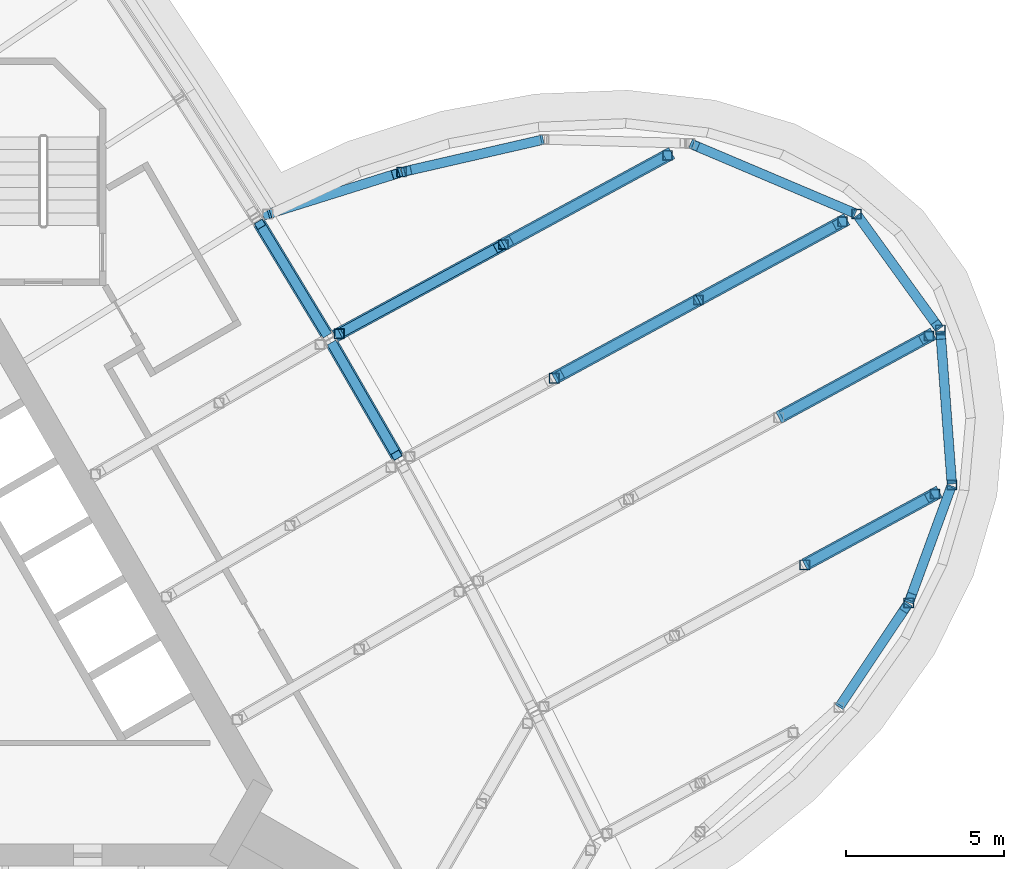
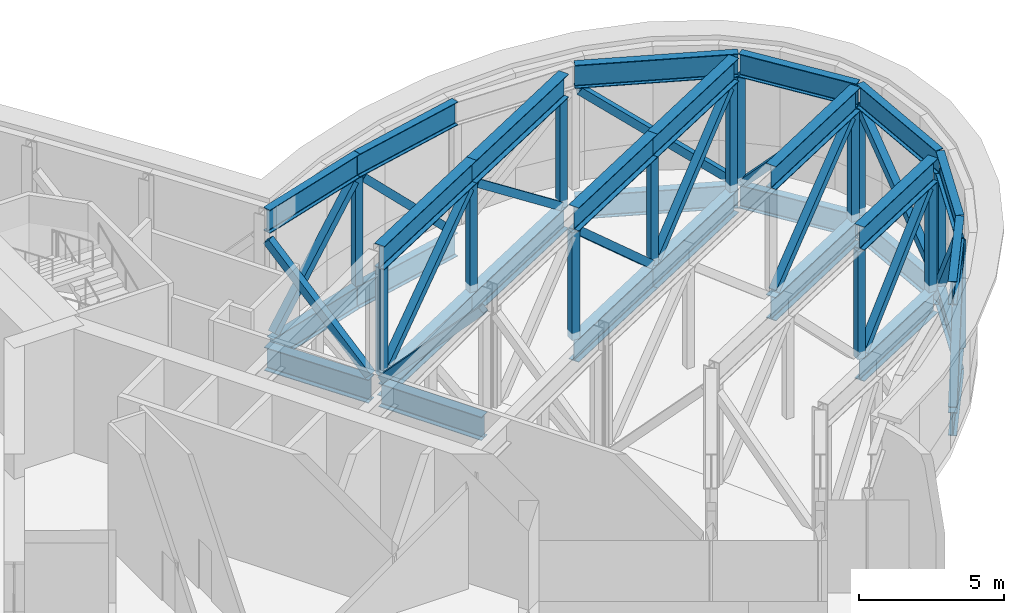
# One storey, part 4 of 11: 55 members, 2 beams.
"""IFC4 building model written with IfcOpenShell, lengths in metres."""

from ifc_helpers import new_model, si_unit, direction, frame, origin, origin_2d, place, context, subcontext, project, spatial, hollow_rectangle, i_section, extrude, material, material_profile, profile_set, type_object, element, save


model = new_model("IFC4")

# Units and contexts
model_context = context("Model", 3, precision=1e-05, world=origin(), true_north=direction((0.0, 1.0)))
body_context = subcontext(model_context, "Body", "Model", "MODEL_VIEW")
ifc_project = project(units=[si_unit("LENGTHUNIT", "METRE"), si_unit("AREAUNIT", "SQUARE_METRE"), si_unit("VOLUMEUNIT", "CUBIC_METRE"), si_unit("PLANEANGLEUNIT", "RADIAN"), si_unit("MASSUNIT", "GRAM", prefix="KILO")], contexts=[model_context])

# Site, building, storey
site_placement = place(None, origin())
site = spatial("IfcSite", under=ifc_project, at=site_placement, CompositionType="ELEMENT")
building_placement = place(site_placement, origin())
building = spatial("IfcBuilding", under=site, at=building_placement, Name="Noor Cloister Tower", CompositionType="ELEMENT")
storey_placement = place(building_placement, frame((0.0, 0.0, 168.89990234375)))
storey = spatial("IfcBuildingStorey", under=building, at=storey_placement, Name="L43", CompositionType="ELEMENT", Elevation=168.89990234375)

# Beams
ifc_material_1 = material(Name="Steel ASTM A992 Gr 50", Category="steel")
ifc_material_profile_1 = material_profile(ifc_material_1, i_section(OverallWidth=0.40087890625, OverallDepth=0.98291015625, WebThickness=0.0166015625, FlangeThickness=0.027099609375, FilletRadius=0.030029296875, at=origin_2d()), Name="W1000x296")
ifc_profile_set_1 = profile_set([ifc_material_profile_1], Name="Steel ASTM A992 Gr 50")
beam_type = type_object("IfcBeamType", Name="Belt chord girder W1000x296", PredefinedType="BEAM", material=ifc_profile_set_1)
for number, where, z_axis, x_axis, name in (
    (1, (14.56103515625, 6.0458984375, -0.79150390625), (-0.499953296348, 0.866052366471, 0.0), (-0.866052366471, -0.499953296348, 0.0), "Spandrel beam NE 04 L43"),
    (2, (12.3134765625, 9.9306640625, -0.79150390625), (-0.518265991157, 0.85521948201, 0.0), (-0.85521948201, -0.518265991157, 0.0), "Spandrel beam NE 05 L43"),
):
    element("IfcBeam", number, at=place(storey_placement, frame(where, z_axis=z_axis, x_axis=x_axis)), inside=storey, type_object=beam_type, Name=name, PredefinedType="BEAM", context=body_context, shape_type="SweptSolid", body=[
        extrude(i_section(OverallWidth=0.40087890625, OverallDepth=0.98291015625, WebThickness=0.0166015625, FlangeThickness=0.027099609375, FilletRadius=0.030029296875, at=origin_2d()), origin(), (0.0, 0.0, 1.0), 4.08935546875),
    ])

# Members
ifc_material_2 = material(Name="Steel ASTM A500 Gr C", Category="steel")
ifc_material_profile_2 = material_profile(ifc_material_2, hollow_rectangle(XDim=0.304931640625, YDim=0.304931640625, WallThickness=0.0126953125, at=origin_2d()), Name="HSS304.8x304.8x12.7")
ifc_profile_set_2 = profile_set([ifc_material_profile_2], Name="Steel ASTM A500 Gr C")
member_type_1 = type_object("IfcMemberType", Name="Belt truss diagonal HSS304.8x304.8x12.7", PredefinedType="BRACE", material=ifc_profile_set_2)
member_1_placement = place(storey_placement, frame((12.537353515625, 9.55126953125, -0.196044921875), z_axis=(0.340421526636, -0.589637968491, 0.732420815048), x_axis=(0.866029291668, 0.499993265928, 0.0)))
element("IfcMember", 3, at=member_1_placement, inside=storey, type_object=member_type_1, Name="Belt truss diagonal NE 04 L43", PredefinedType="BRACE", context=body_context, shape_type="SweptSolid", body=[
    extrude(hollow_rectangle(XDim=0.304931640625, YDim=0.304931640625, WallThickness=0.0126953125, at=origin_2d()), origin(), (0.0, 0.0, 1.0), 5.8837890625),
])
member_2_placement = place(storey_placement, frame((12.291748046875, 9.966552734375, -0.196044921875), z_axis=(-0.352838029881, 0.582267815511, 0.7324407933), x_axis=(-0.855231394495, -0.518246333195, 0.0)))
element("IfcMember", 4, at=member_2_placement, inside=storey, type_object=member_type_1, Name="Belt truss diagonal NE 05 L43", PredefinedType="BRACE", context=body_context, shape_type="SweptSolid", body=[
    extrude(hollow_rectangle(XDim=0.304931640625, YDim=0.304931640625, WallThickness=0.0126953125, at=origin_2d()), origin(), (0.0, 0.0, 1.0), 5.883544921875),
])
ifc_material_3 = material(Name="Steel ASTM A992 Gr 50", Category="steel")
ifc_material_profile_3 = material_profile(ifc_material_3, i_section(OverallWidth=0.300048828125, OverallDepth=0.97998046875, WebThickness=0.0166015625, FlangeThickness=0.026123046875, FilletRadius=0.02978515625, at=origin_2d()), Name="W1000x249")
ifc_profile_set_3 = profile_set([ifc_material_profile_3], Name="Steel ASTM A992 Gr 50")
member_type_2 = type_object("IfcMemberType", Name="Pod ring chord W1000x249", PredefinedType="CHORD", material=ifc_profile_set_3)
for number, where, z_axis, x_axis, name in (
    (5, (28.552490234375, -1.889404296875, -0.789794921875), (0.555157149559, 0.831745477471, 0.0), (-0.831745477471, 0.555157149559, 0.0), "Pod truss 3 bottom chord ring 3"),
    (6, (28.552490234375, -1.889404296875, 4.710205078125), (0.555157149559, 0.831745477471, 0.0), (-0.831745477471, 0.555157149559, 0.0), "Pod truss 3 top chord ring 3"),
):
    element("IfcMember", number, at=place(storey_placement, frame(where, z_axis=z_axis, x_axis=x_axis)), inside=storey, type_object=member_type_2, Name=name, PredefinedType="CHORD", context=body_context, shape_type="SweptSolid", body=[
        extrude(i_section(OverallWidth=0.300048828125, OverallDepth=0.97998046875, WebThickness=0.0166015625, FlangeThickness=0.026123046875, FilletRadius=0.02978515625, at=origin_2d()), origin(), (0.0, 0.0, 1.0), 3.94482421875),
    ])
for number, where, z_axis, x_axis, name in (
    (7, (30.758544921875, 1.423583984375, -0.789794921875), (0.343748668311, 0.939061687555, 0.0), (-0.939061687555, 0.343748668311, 0.0), "Pod truss 3 bottom chord ring 4"),
    (8, (30.758544921875, 1.423583984375, 4.710205078125), (0.343748668311, 0.939061687555, 0.0), (-0.939061687555, 0.343748668311, 0.0), "Pod truss 3 top chord ring 4"),
):
    element("IfcMember", number, at=place(storey_placement, frame(where, z_axis=z_axis, x_axis=x_axis)), inside=storey, type_object=member_type_2, Name=name, PredefinedType="CHORD", context=body_context, shape_type="SweptSolid", body=[
        extrude(i_section(OverallWidth=0.300048828125, OverallDepth=0.97998046875, WebThickness=0.0166015625, FlangeThickness=0.026123046875, FilletRadius=0.02978515625, at=origin_2d()), origin(), (0.0, 0.0, 1.0), 3.927490234375),
    ])
for number, where, z_axis, x_axis, name in (
    (9, (32.117431640625, 5.1748046875, -0.789794921875), (-0.074454319083, 0.997224425277, 0.0), (-0.997224425277, -0.074454319083, 0.0), "Pod truss 3 bottom chord ring 5"),
    (10, (32.117431640625, 5.1748046875, 4.710205078125), (-0.074454319083, 0.997224425277, 0.0), (-0.997224425277, -0.074454319083, 0.0), "Pod truss 3 top chord ring 5"),
):
    element("IfcMember", number, at=place(storey_placement, frame(where, z_axis=z_axis, x_axis=x_axis)), inside=storey, type_object=member_type_2, Name=name, PredefinedType="CHORD", context=body_context, shape_type="SweptSolid", body=[
        extrude(i_section(OverallWidth=0.300048828125, OverallDepth=0.97998046875, WebThickness=0.0166015625, FlangeThickness=0.026123046875, FilletRadius=0.02978515625, at=origin_2d()), origin(), (0.0, 0.0, 1.0), 4.846435546875),
    ])
for number, where, z_axis, x_axis, name in (
    (11, (31.728271484375, 10.084716796875, -0.789794921875), (-0.585976189405, 0.810328270178, 0.0), (-0.810328270178, -0.585976189405, 0.0), "Pod truss 3 bottom chord ring 6"),
    (12, (31.728271484375, 10.084716796875, 4.710205078125), (-0.585976189405, 0.810328270178, 0.0), (-0.810328270178, -0.585976189405, 0.0), "Pod truss 3 top chord ring 6"),
):
    element("IfcMember", number, at=place(storey_placement, frame(where, z_axis=z_axis, x_axis=x_axis)), inside=storey, type_object=member_type_2, Name=name, PredefinedType="CHORD", context=body_context, shape_type="SweptSolid", body=[
        extrude(i_section(OverallWidth=0.300048828125, OverallDepth=0.97998046875, WebThickness=0.0166015625, FlangeThickness=0.026123046875, FilletRadius=0.02978515625, at=origin_2d()), origin(), (0.0, 0.0, 1.0), 4.44091796875),
    ])
for number, where, z_axis, x_axis, name in (
    (13, (29.062744140625, 13.73388671875, -0.789794921875), (-0.920810747966, 0.39000970043, 0.0), (-0.39000970043, -0.920810747966, 0.0), "Pod truss 3 bottom chord ring 7"),
    (14, (29.062744140625, 13.73388671875, 4.710205078125), (-0.920810747966, 0.39000970043, 0.0), (-0.39000970043, -0.920810747966, 0.0), "Pod truss 3 top chord ring 7"),
):
    element("IfcMember", number, at=place(storey_placement, frame(where, z_axis=z_axis, x_axis=x_axis)), inside=storey, type_object=member_type_2, Name=name, PredefinedType="CHORD", context=body_context, shape_type="SweptSolid", body=[
        extrude(i_section(OverallWidth=0.300048828125, OverallDepth=0.97998046875, WebThickness=0.0166015625, FlangeThickness=0.026123046875, FilletRadius=0.02978515625, at=origin_2d()), origin(), (0.0, 0.0, 1.0), 5.665283203125),
    ])
for number, where, z_axis, x_axis, name in (
    (15, (19.18505859375, 16.07421875, -0.789794921875), (-0.974605644435, -0.223928197945, 0.0), (0.223928197945, -0.974605644435, 0.0), "Pod truss 3 bottom chord ring 9"),
    (16, (19.18505859375, 16.07421875, 4.710205078125), (-0.974605644435, -0.223928197945, 0.0), (0.223928197945, -0.974605644435, 0.0), "Pod truss 3 top chord ring 9"),
):
    element("IfcMember", number, at=place(storey_placement, frame(where, z_axis=z_axis, x_axis=x_axis)), inside=storey, type_object=member_type_2, Name=name, PredefinedType="CHORD", context=body_context, shape_type="SweptSolid", body=[
        extrude(i_section(OverallWidth=0.300048828125, OverallDepth=0.97998046875, WebThickness=0.0166015625, FlangeThickness=0.026123046875, FilletRadius=0.02978515625, at=origin_2d()), origin(), (0.0, 0.0, 1.0), 4.595458984375),
    ])
member_3_placement = place(storey_placement, frame((14.69482421875, 15.0419921875, -0.789794921875), z_axis=(-0.954176513759, -0.299244349304, 0.0), x_axis=(0.299244349304, -0.954176513759, 0.0)))
element("IfcMember", 17, at=member_3_placement, inside=storey, type_object=member_type_2, Name="Pod truss 3 bottom chord ring 10", PredefinedType="CHORD", context=body_context, shape_type="SweptSolid", body=[
    extrude(i_section(OverallWidth=0.300048828125, OverallDepth=0.97998046875, WebThickness=0.0166015625, FlangeThickness=0.026123046875, FilletRadius=0.02978515625, at=origin_2d()), origin(), (0.0, 0.0, 1.0), 4.416259765625),
])
member_4_placement = place(storey_placement, frame((14.69482421875, 15.0419921875, 4.710205078125), z_axis=(-0.954177472312, -0.299241292828, 0.0), x_axis=(0.299241292828, -0.954177472312, 0.0)))
element("IfcMember", 18, at=member_4_placement, inside=storey, type_object=member_type_2, Name="Pod truss 3 top chord ring 10", PredefinedType="CHORD", context=body_context, shape_type="SweptSolid", body=[
    extrude(i_section(OverallWidth=0.300048828125, OverallDepth=0.97998046875, WebThickness=0.0166015625, FlangeThickness=0.026123046875, FilletRadius=0.02978515625, at=origin_2d()), origin(), (0.0, 0.0, 1.0), 4.58837890625),
])
ifc_material_4 = material(Name="Steel ASTM A992 Gr 50", Category="steel")
ifc_material_profile_4 = material_profile(ifc_material_4, i_section(OverallWidth=0.40087890625, OverallDepth=0.98291015625, WebThickness=0.0166015625, FlangeThickness=0.027099609375, FilletRadius=0.030029296875, at=origin_2d()), Name="W1000x296")
ifc_profile_set_4 = profile_set([ifc_material_profile_4], Name="Steel ASTM A992 Gr 50")
member_type_3 = type_object("IfcMemberType", Name="Pod truss chord W1000x296", PredefinedType="CHORD", material=ifc_profile_set_4)
for number, where, z_axis, x_axis, name in (
    (19, (27.46044921875, 2.611328125, -0.79150390625), (0.878723697454, 0.477330769522, 0.0), (-0.477330769522, 0.878723697454, 0.0), "Pod truss 3 bottom chord line 2 cantilever 3"),
    (20, (27.46044921875, 2.611328125, 4.70849609375), (0.878723697454, 0.477330769522, 0.0), (-0.477330769522, 0.878723697454, 0.0), "Pod truss 3 top chord line 2 cantilever 3"),
):
    element("IfcMember", number, at=place(storey_placement, frame(where, z_axis=z_axis, x_axis=x_axis)), inside=storey, type_object=member_type_3, Name=name, PredefinedType="CHORD", context=body_context, shape_type="SweptSolid", body=[
        extrude(i_section(OverallWidth=0.40087890625, OverallDepth=0.98291015625, WebThickness=0.0166015625, FlangeThickness=0.027099609375, FilletRadius=0.030029296875, at=origin_2d()), origin(), (0.0, 0.0, 1.0), 4.84814453125),
    ])
for number, where, z_axis, x_axis, name in (
    (21, (26.63916015625, 7.272216796875, -0.79150390625), (0.878724118179, 0.477329995003, 0.0), (-0.477329995003, 0.878724118179, 0.0), "Pod truss 3 bottom chord line 3 cantilever 3"),
    (22, (26.63916015625, 7.272216796875, 4.70849609375), (0.878724118179, 0.477329995003, 0.0), (-0.477329995003, 0.878724118179, 0.0), "Pod truss 3 top chord line 3 cantilever 3"),
):
    element("IfcMember", number, at=place(storey_placement, frame(where, z_axis=z_axis, x_axis=x_axis)), inside=storey, type_object=member_type_3, Name=name, PredefinedType="CHORD", context=body_context, shape_type="SweptSolid", body=[
        extrude(i_section(OverallWidth=0.40087890625, OverallDepth=0.98291015625, WebThickness=0.0166015625, FlangeThickness=0.027099609375, FilletRadius=0.030029296875, at=origin_2d()), origin(), (0.0, 0.0, 1.0), 5.5654296875),
    ])
for number, where, z_axis, x_axis, name in (
    (23, (19.531005859375, 8.518798828125, -0.79150390625), (0.878727818278, 0.477323183373, 0.0), (-0.477323183373, 0.878727818278, 0.0), "Pod truss 3 bottom chord line 4 cantilever 2"),
    (24, (19.531005859375, 8.518798828125, 4.70849609375), (0.878727818278, 0.477323183373, 0.0), (-0.477323183373, 0.878727818278, 0.0), "Pod truss 3 top chord line 4 cantilever 2"),
):
    element("IfcMember", number, at=place(storey_placement, frame(where, z_axis=z_axis, x_axis=x_axis)), inside=storey, type_object=member_type_3, Name=name, PredefinedType="CHORD", context=body_context, shape_type="SweptSolid", body=[
        extrude(i_section(OverallWidth=0.40087890625, OverallDepth=0.98291015625, WebThickness=0.0166015625, FlangeThickness=0.027099609375, FilletRadius=0.030029296875, at=origin_2d()), origin(), (0.0, 0.0, 1.0), 5.193603515625),
    ])
for number, where, z_axis, x_axis, name in (
    (25, (24.0947265625, 10.997802734375, -0.79150390625), (0.878723200227, 0.477331684871, 0.0), (-0.477331684871, 0.878723200227, 0.0), "Pod truss 3 bottom chord line 4 cantilever 3"),
    (26, (24.0947265625, 10.997802734375, 4.70849609375), (0.878723200227, 0.477331684871, 0.0), (-0.477331684871, 0.878723200227, 0.0), "Pod truss 3 top chord line 4 cantilever 3"),
):
    element("IfcMember", number, at=place(storey_placement, frame(where, z_axis=z_axis, x_axis=x_axis)), inside=storey, type_object=member_type_3, Name=name, PredefinedType="CHORD", context=body_context, shape_type="SweptSolid", body=[
        extrude(i_section(OverallWidth=0.40087890625, OverallDepth=0.98291015625, WebThickness=0.0166015625, FlangeThickness=0.027099609375, FilletRadius=0.030029296875, at=origin_2d()), origin(), (0.0, 0.0, 1.0), 5.346435546875),
    ])
member_5_placement = place(storey_placement, frame((12.746826171875, 9.939453125, -0.79150390625), z_axis=(0.878714850772, 0.47734705512, 0.0), x_axis=(-0.47734705512, 0.878714850772, 0.0)))
element("IfcMember", 27, at=member_5_placement, inside=storey, type_object=member_type_3, Name="Pod truss 3 bottom chord line 5 cantilever 1", PredefinedType="CHORD", context=body_context, shape_type="SweptSolid", body=[
    extrude(i_section(OverallWidth=0.40087890625, OverallDepth=0.98291015625, WebThickness=0.0166015625, FlangeThickness=0.027099609375, FilletRadius=0.030029296875, at=origin_2d()), origin(), (0.0, 0.0, 1.0), 5.889892578125),
])
for number, where, z_axis, x_axis, name in (
    (28, (12.592529296875, 9.855712890625, 4.70849609375), (0.878720310196, 0.477337005112, 0.0), (-0.477337005112, 0.878720310196, 0.0), "Pod truss 3 top chord line 5 cantilever 1"),
    (29, (17.92236328125, 12.7509765625, -0.79150390625), (0.878720310196, 0.477337005112, 0.0), (-0.477337005112, 0.878720310196, 0.0), "Pod truss 3 bottom chord line 5 cantilever 2"),
    (30, (17.92236328125, 12.7509765625, 4.70849609375), (0.878720310196, 0.477337005112, 0.0), (-0.477337005112, 0.878720310196, 0.0), "Pod truss 3 top chord line 5 cantilever 2"),
):
    element("IfcMember", number, at=place(storey_placement, frame(where, z_axis=z_axis, x_axis=x_axis)), inside=storey, type_object=member_type_3, Name=name, PredefinedType="CHORD", context=body_context, shape_type="SweptSolid", body=[
        extrude(i_section(OverallWidth=0.40087890625, OverallDepth=0.98291015625, WebThickness=0.0166015625, FlangeThickness=0.027099609375, FilletRadius=0.030029296875, at=origin_2d()), origin(), (0.0, 0.0, 1.0), 6.0654296875),
    ])
ifc_material_5 = material(Name="Steel ASTM A500 Gr C", Category="steel")
ifc_material_profile_5 = material_profile(ifc_material_5, hollow_rectangle(XDim=0.304931640625, YDim=0.304931640625, WallThickness=0.0126953125, at=origin_2d()), Name="HSS304.8x304.8x12.7")
ifc_profile_set_5 = profile_set([ifc_material_profile_5], Name="Steel ASTM A500 Gr C")
member_type_4 = type_object("IfcMemberType", Name="Pod truss diagonal HSS304.8x304.8x12.7", PredefinedType="BRACE", material=ifc_profile_set_5)
member_6_placement = place(storey_placement, frame((28.6513671875, -1.740966796875, -0.20263671875), z_axis=(0.354398645805, 0.53092453742, 0.7697536849), x_axis=(-0.8317255454, 0.555187010951, 0.0)))
element("IfcMember", 31, at=member_6_placement, inside=storey, type_object=member_type_4, Name="Pod truss 3 diagonal ring 3", PredefinedType="BRACE", context=body_context, shape_type="SweptSolid", body=[
    extrude(hollow_rectangle(XDim=0.304931640625, YDim=0.304931640625, WallThickness=0.0126953125, at=origin_2d()), origin(), (0.0, 0.0, 1.0), 5.619140625),
])
member_7_placement = place(storey_placement, frame((30.8203125, 1.592041015625, 4.122802734375), z_axis=(0.219282506417, 0.59908241545, -0.77007495861), x_axis=(-0.939069221252, 0.343728086862, 0.0)))
element("IfcMember", 32, at=member_7_placement, inside=storey, type_object=member_type_4, Name="Pod truss 3 diagonal ring 4", PredefinedType="BRACE", context=body_context, shape_type="SweptSolid", body=[
    extrude(hollow_rectangle(XDim=0.304931640625, YDim=0.304931640625, WallThickness=0.0126953125, at=origin_2d()), origin(), (0.0, 0.0, 1.0), 5.616943359375),
])
member_8_placement = place(storey_placement, frame((32.105224609375, 5.33935546875, -0.189208984375), z_axis=(-0.054008437593, 0.723110797312, 0.688617356359), x_axis=(-0.997222390742, -0.074481564176, 0.0)))
element("IfcMember", 33, at=member_8_placement, inside=storey, type_object=member_type_4, Name="Pod truss 3 diagonal ring 5", PredefinedType="BRACE", context=body_context, shape_type="SweptSolid", body=[
    extrude(hollow_rectangle(XDim=0.304931640625, YDim=0.304931640625, WallThickness=0.0126953125, at=origin_2d()), origin(), (0.0, 0.0, 1.0), 6.24267578125),
])
member_9_placement = place(storey_placement, frame((31.6376953125, 10.21044921875, 4.114501953125), z_axis=(-0.405545689411, 0.560728780245, -0.721883597822), x_axis=(-0.810284724522, -0.586036402629, 0.0)))
element("IfcMember", 34, at=member_9_placement, inside=storey, type_object=member_type_4, Name="Pod truss 3 diagonal ring 6", PredefinedType="BRACE", context=body_context, shape_type="SweptSolid", body=[
    extrude(hollow_rectangle(XDim=0.304931640625, YDim=0.304931640625, WallThickness=0.0126953125, at=origin_2d()), origin(), (0.0, 0.0, 1.0), 5.968994140625),
])
member_10_placement = place(storey_placement, frame((28.91943359375, 13.79443359375, -0.180908203125), z_axis=(-0.718407557843, 0.304296941048, 0.625534933079), x_axis=(-0.390026196992, -0.920803760668, 0.0)))
element("IfcMember", 35, at=member_10_placement, inside=storey, type_object=member_type_4, Name="Pod truss 3 diagonal ring 7", PredefinedType="BRACE", context=body_context, shape_type="SweptSolid", body=[
    extrude(hollow_rectangle(XDim=0.304931640625, YDim=0.304931640625, WallThickness=0.0126953125, at=origin_2d()), origin(), (0.0, 0.0, 1.0), 6.84521484375),
])
member_11_placement = place(storey_placement, frame((19.01123046875, 16.0341796875, -0.193115234375), z_axis=(-0.682581025928, -0.156846339607, 0.713780336515), x_axis=(0.223947942455, -0.974601107669, 0.0)))
element("IfcMember", 36, at=member_11_placement, inside=storey, type_object=member_type_4, Name="Pod truss 3 diagonal ring 9", PredefinedType="BRACE", context=body_context, shape_type="SweptSolid", body=[
    extrude(hollow_rectangle(XDim=0.304931640625, YDim=0.304931640625, WallThickness=0.0126953125, at=origin_2d()), origin(), (0.0, 0.0, 1.0), 6.033203125),
])
member_12_placement = place(storey_placement, frame((14.511962890625, 14.984619140625, 4.11572265625), z_axis=(-0.653025539342, -0.204793037123, -0.729121016644), x_axis=(0.299236686162, -0.954178917004, 0.0)))
element("IfcMember", 37, at=member_12_placement, inside=storey, type_object=member_type_4, Name="Pod truss 3 diagonal ring 10", PredefinedType="BRACE", context=body_context, shape_type="SweptSolid", body=[
    extrude(hollow_rectangle(XDim=0.304931640625, YDim=0.304931640625, WallThickness=0.0126953125, at=origin_2d()), origin(), (0.0, 0.0, 1.0), 5.9130859375),
])
member_13_placement = place(storey_placement, frame((27.634033203125, 2.70556640625, -0.192138671875), z_axis=(0.621281004285, 0.337512240134, 0.707174236998), x_axis=(-0.477359930478, 0.878707856329, 0.0)))
element("IfcMember", 38, at=member_13_placement, inside=storey, type_object=member_type_4, Name="Pod truss 3 diagonal line 2 cantilever 3", PredefinedType="BRACE", context=body_context, shape_type="SweptSolid", body=[
    extrude(hollow_rectangle(XDim=0.304931640625, YDim=0.304931640625, WallThickness=0.0126953125, at=origin_2d()), origin(), (0.0, 0.0, 1.0), 6.082763671875),
])
member_14_placement = place(storey_placement, frame((26.812744140625, 7.36669921875, -0.183837890625), z_axis=(0.66823046956, 0.362975686954, 0.649397174488), x_axis=(-0.477317334641, 0.878730995272, 0.0)))
element("IfcMember", 39, at=member_14_placement, inside=storey, type_object=member_type_4, Name="Pod truss 3 diagonal line 3 cantilever 3", PredefinedType="BRACE", context=body_context, shape_type="SweptSolid", body=[
    extrude(hollow_rectangle(XDim=0.304931640625, YDim=0.304931640625, WallThickness=0.0126953125, at=origin_2d()), origin(), (0.0, 0.0, 1.0), 6.598388671875),
])
member_15_placement = place(storey_placement, frame((19.70458984375, 8.613037109375, 4.103515625), z_axis=(0.655124738588, 0.355858053348, -0.666465770132), x_axis=(-0.477318639784, 0.878730286331, 0.0)))
element("IfcMember", 40, at=member_15_placement, inside=storey, type_object=member_type_4, Name="Pod truss 3 diagonal line 4 cantilever 2", PredefinedType="BRACE", context=body_context, shape_type="SweptSolid", body=[
    extrude(hollow_rectangle(XDim=0.304931640625, YDim=0.304931640625, WallThickness=0.0126953125, at=origin_2d()), origin(), (0.0, 0.0, 1.0), 6.4365234375),
])
member_16_placement = place(storey_placement, frame((24.268310546875, 11.092041015625, -0.186279296875), z_axis=(0.655115895651, 0.355891179301, 0.666456774113), x_axis=(-0.477357923118, 0.878708946829, 0.0)))
element("IfcMember", 41, at=member_16_placement, inside=storey, type_object=member_type_4, Name="Pod truss 3 diagonal line 4 cantilever 3", PredefinedType="BRACE", context=body_context, shape_type="SweptSolid", body=[
    extrude(hollow_rectangle(XDim=0.304931640625, YDim=0.304931640625, WallThickness=0.0126953125, at=origin_2d()), origin(), (0.0, 0.0, 1.0), 6.436767578125),
])
member_17_placement = place(storey_placement, frame((12.900146484375, 10.022705078125, -0.179443359375), z_axis=(0.694592562565, 0.377320334198, 0.612511663097), x_axis=(-0.477341793582, 0.878717708994, 0.0)))
element("IfcMember", 42, at=member_17_placement, inside=storey, type_object=member_type_4, Name="Pod truss 3 diagonal line 5 cantilever 1", PredefinedType="BRACE", context=body_context, shape_type="SweptSolid", body=[
    extrude(hollow_rectangle(XDim=0.304931640625, YDim=0.304931640625, WallThickness=0.0126953125, at=origin_2d()), origin(), (0.0, 0.0, 1.0), 6.98095703125),
])
member_18_placement = place(storey_placement, frame((18.095947265625, 12.84521484375, 4.096435546875), z_axis=(0.6946017281, 0.37729034, -0.612519745529), x_axis=(-0.477307630206, 0.878736266548, 0.0)))
element("IfcMember", 43, at=member_18_placement, inside=storey, type_object=member_type_4, Name="Pod truss 3 diagonal line 5 cantilever 2", PredefinedType="BRACE", context=body_context, shape_type="SweptSolid", body=[
    extrude(hollow_rectangle(XDim=0.304931640625, YDim=0.304931640625, WallThickness=0.0126953125, at=origin_2d()), origin(), (0.0, 0.0, 1.0), 6.980712890625),
])
ifc_material_6 = material(Name="Steel ASTM A500 Gr C", Category="steel")
ifc_material_profile_6 = material_profile(ifc_material_6, hollow_rectangle(XDim=0.304931640625, YDim=0.304931640625, WallThickness=0.0126953125, at=origin_2d()), Name="HSS304.8x304.8x12.7")
ifc_profile_set_6 = profile_set([ifc_material_profile_6], Name="Steel ASTM A500 Gr C")
member_type_5 = type_object("IfcMemberType", Name="Pod truss post HSS304.8x304.8x12.7", PredefinedType="POST", material=ifc_profile_set_6)
for number, where, z_axis, x_axis, name in (
    (44, (30.75244140625, 1.406494140625, -0.2998046875), (0.0, 0.0, 1.0), (1.0, 0.0, 0.0), "Pod truss 3 post ring node 3"),
    (45, (32.119873046875, 5.142333984375, -0.2998046875), (0.0, 0.0, 1.0), (1.0, 0.0, 0.0), "Pod truss 3 post ring node 4"),
    (46, (31.75341796875, 10.05029296875, -0.2998046875), (0.0, 0.0, 1.0), (1.0, 0.0, 0.0), "Pod truss 3 post ring node 5"),
    (47, (29.101318359375, 13.717529296875, -0.2998046875), (0.0, 0.0, 1.0), (1.0, 0.0, 0.0), "Pod truss 3 post ring node 6"),
    (48, (14.700439453125, 15.043701171875, -0.2998046875), (0.0, 0.0, 1.0), (1.0, 0.0, 0.0), "Pod truss 3 post ring node 9"),
):
    element("IfcMember", number, at=place(storey_placement, frame(where, z_axis=z_axis, x_axis=x_axis)), inside=storey, type_object=member_type_5, Name=name, PredefinedType="POST", context=body_context, shape_type="SweptSolid", body=[
        extrude(hollow_rectangle(XDim=0.304931640625, YDim=0.304931640625, WallThickness=0.0126953125, at=origin_2d()), origin(), (0.0, 0.0, 1.0), 4.52001953125),
    ])
for number, where, z_axis, x_axis, name in (
    (49, (27.46044921875, 2.611328125, -0.2998046875), (0.0, 0.0, 1.0), (1.0, 0.0, 0.0), "Pod truss 3 post line 2 cantilever 3"),
    (50, (31.586669921875, 4.852783203125, -0.2998046875), (0.0, 0.0, 1.0), (1.0, 0.0, 0.0), "Pod truss 3 post line 2 cantilever 4"),
    (51, (31.3955078125, 9.85595703125, -0.2998046875), (0.0, 0.0, 1.0), (1.0, 0.0, 0.0), "Pod truss 3 post line 3 cantilever 4"),
    (52, (19.531005859375, 8.518798828125, -0.2998046875), (0.0, 0.0, 1.0), (1.0, 0.0, 0.0), "Pod truss 3 post line 4 cantilever 2"),
    (53, (24.0947265625, 10.997802734375, -0.2998046875), (0.0, 0.0, 1.0), (1.0, 0.0, 0.0), "Pod truss 3 post line 4 cantilever 3"),
    (54, (28.65869140625, 13.47705078125, -0.2998046875), (0.0, 0.0, 1.0), (1.0, 0.0, 0.0), "Pod truss 3 post line 4 cantilever 4"),
    (55, (12.7265625, 9.928466796875, -0.2998046875), (0.0, 0.0, 1.0), (1.0, 0.0, 0.0), "Pod truss 3 post line 5 cantilever 1"),
    (56, (17.92236328125, 12.7509765625, -0.2998046875), (0.0, 0.0, 1.0), (1.0, 0.0, 0.0), "Pod truss 3 post line 5 cantilever 2"),
    (57, (23.118408203125, 15.5732421875, -0.2998046875), (0.0, 0.0, 1.0), (1.0, 0.0, 0.0), "Pod truss 3 post line 5 cantilever 3"),
):
    element("IfcMember", number, at=place(storey_placement, frame(where, z_axis=z_axis, x_axis=x_axis)), inside=storey, type_object=member_type_5, Name=name, PredefinedType="POST", context=body_context, shape_type="SweptSolid", body=[
        extrude(hollow_rectangle(XDim=0.304931640625, YDim=0.304931640625, WallThickness=0.0126953125, at=origin_2d()), origin(), (0.0, 0.0, 1.0), 4.516845703125),
    ])

save(model, "model.ifc")
